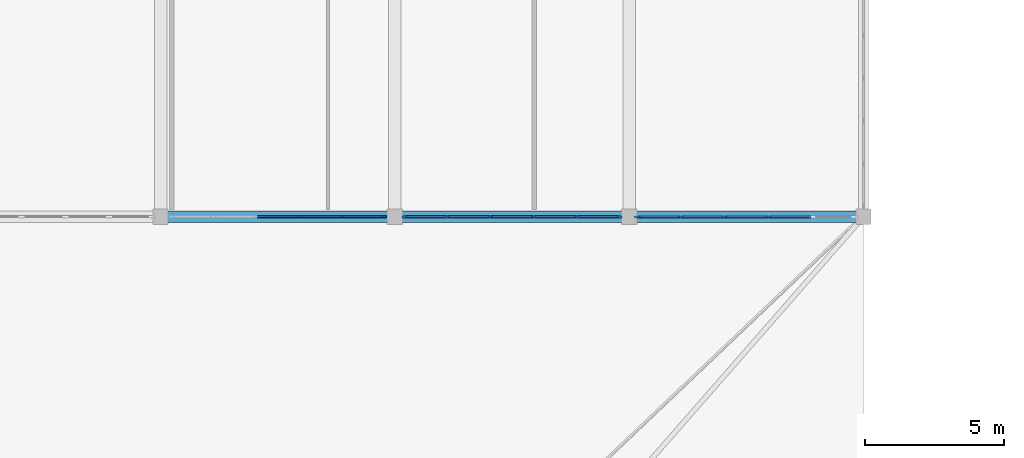
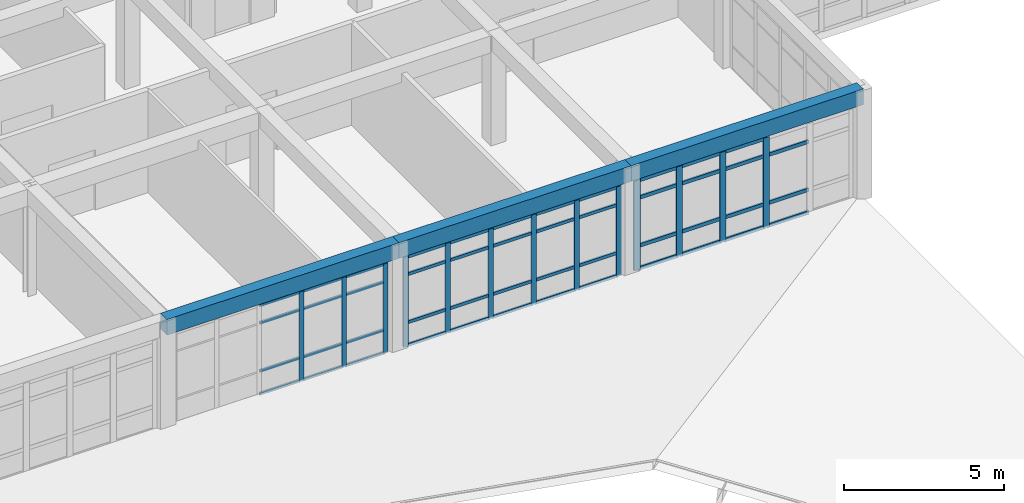
# One storey, part 17 of 77: 60 members, 3 beams, 3 elements without a shape of their own.
"""IFC4 building model written with IfcOpenShell, lengths in metres."""

from ifc_helpers import new_model, si_unit, direction, frame, origin, origin_2d, place, context, subcontext, project, spatial, rectangle, extrude, material, material_profile, profile_set, type_object, element, aggregate, save


model = new_model("IFC4")

# Units and contexts
model_context = context("Model", 3, precision=1e-05, world=origin(), true_north=direction((0.0, 1.0)))
body_context = subcontext(model_context, "Body", "Model", "MODEL_VIEW")
ifc_project = project(units=[si_unit("LENGTHUNIT", "METRE"), si_unit("AREAUNIT", "SQUARE_METRE"), si_unit("VOLUMEUNIT", "CUBIC_METRE"), si_unit("PLANEANGLEUNIT", "RADIAN"), si_unit("MASSUNIT", "GRAM", prefix="KILO")], contexts=[model_context])

# Site, building, storey
site_placement = place(None, origin())
site = spatial("IfcSite", under=ifc_project, at=site_placement, CompositionType="ELEMENT")
building_placement = place(site_placement, origin())
building = spatial("IfcBuilding", under=site, at=building_placement, Name="Varncliffe General Hospital", CompositionType="ELEMENT")
storey_placement = place(building_placement, frame((0.0, 0.0, 16.199951171875)))
storey = spatial("IfcBuildingStorey", under=building, at=storey_placement, Name="L03", CompositionType="ELEMENT", Elevation=16.199951171875)

# Curtain wall, members
ifc_material_1 = material(Name="Triple low-E argon insulated vision glazing", Category="glass")
curtain_wall_type_1 = type_object("IfcCurtainWallType", Name="Unitised Glazed Curtain Wall CW23 (7774x3440)", PredefinedType="USERDEFINED", material=ifc_material_1)
curtain_wall_1_placement = place(storey_placement, origin())
curtain_wall_1 = element("IfcCurtainWall", 1, at=curtain_wall_1_placement, inside=storey, type_object=curtain_wall_type_1, Name="L03 Glazed Curtain Wall CW23-175", ObjectType="GLAZED CURTAIN WALL", PredefinedType="USERDEFINED")
ifc_material_2 = material(Name="Dark bronze thermally broken aluminium framing", Category="aluminium")
ifc_material_profile_1 = material_profile(ifc_material_2, rectangle(XDim=0.074951171875, YDim=0.179931640625, at=origin_2d()), Name="ALU 75x180")
ifc_profile_set_1 = profile_set([ifc_material_profile_1], Name="Dark bronze thermally broken aluminium framing")
member_type_1 = type_object("IfcMemberType", Name="Curtain Wall Mullion CM44 (ALU 75x180)", PredefinedType="MULLION", material=ifc_profile_set_1)
member_1_placement = place(storey_placement, frame((108.849609375, 74.39990234375, 0.0), z_axis=(0.0, 0.0, 1.0), x_axis=(0.0, -1.0, 0.0)))
member_1 = element("IfcMember", 2, at=member_1_placement, type_object=member_type_1, Name="CW23 mullion 1", PredefinedType="MULLION", context=body_context, shape_type="SweptSolid", body=[
    extrude(rectangle(XDim=0.074951171875, YDim=0.179931640625, at=origin_2d()), origin(), (0.0, 0.0, 1.0), 3.43994140625),
])
member_2_placement = place(storey_placement, frame((107.332275390625, 74.39990234375, 0.0), z_axis=(0.0, 0.0, 1.0), x_axis=(0.0, -1.0, 0.0)))
member_2 = element("IfcMember", 3, at=member_2_placement, type_object=member_type_1, Name="CW23 mullion 2", PredefinedType="MULLION", context=body_context, shape_type="SweptSolid", body=[
    extrude(rectangle(XDim=0.074951171875, YDim=0.179931640625, at=origin_2d()), origin(), (0.0, 0.0, 1.0), 3.43994140625),
])
member_3_placement = place(storey_placement, frame((105.77734375, 74.39990234375, 0.0), z_axis=(0.0, 0.0, 1.0), x_axis=(0.0, -1.0, 0.0)))
member_3 = element("IfcMember", 4, at=member_3_placement, type_object=member_type_1, Name="CW23 mullion 3", PredefinedType="MULLION", context=body_context, shape_type="SweptSolid", body=[
    extrude(rectangle(XDim=0.074951171875, YDim=0.179931640625, at=origin_2d()), origin(), (0.0, 0.0, 1.0), 3.43994140625),
])
member_4_placement = place(storey_placement, frame((104.22265625, 74.39990234375, 0.0), z_axis=(0.0, 0.0, 1.0), x_axis=(0.0, -1.0, 0.0)))
member_4 = element("IfcMember", 5, at=member_4_placement, type_object=member_type_1, Name="CW23 mullion 4", PredefinedType="MULLION", context=body_context, shape_type="SweptSolid", body=[
    extrude(rectangle(XDim=0.074951171875, YDim=0.179931640625, at=origin_2d()), origin(), (0.0, 0.0, 1.0), 3.43994140625),
])
member_5_placement = place(storey_placement, frame((102.667724609375, 74.39990234375, 0.0), z_axis=(0.0, 0.0, 1.0), x_axis=(0.0, -1.0, 0.0)))
member_5 = element("IfcMember", 6, at=member_5_placement, type_object=member_type_1, Name="CW23 mullion 5", PredefinedType="MULLION", context=body_context, shape_type="SweptSolid", body=[
    extrude(rectangle(XDim=0.074951171875, YDim=0.179931640625, at=origin_2d()), origin(), (0.0, 0.0, 1.0), 3.43994140625),
])
member_6_placement = place(storey_placement, frame((101.150390625, 74.39990234375, 0.0), z_axis=(0.0, 0.0, 1.0), x_axis=(0.0, -1.0, 0.0)))
member_6 = element("IfcMember", 7, at=member_6_placement, type_object=member_type_1, Name="CW23 mullion 6", PredefinedType="MULLION", context=body_context, shape_type="SweptSolid", body=[
    extrude(rectangle(XDim=0.074951171875, YDim=0.179931640625, at=origin_2d()), origin(), (0.0, 0.0, 1.0), 3.43994140625),
])

curtain_wall_type_2 = type_object("IfcCurtainWallType", Name="Unitised Glazed Curtain Wall CW37 (7694x3440)", PredefinedType="USERDEFINED", material=ifc_material_1)
curtain_wall_2_placement = place(storey_placement, origin())
curtain_wall_2 = element("IfcCurtainWall", 8, at=curtain_wall_2_placement, inside=storey, type_object=curtain_wall_type_2, Name="L03 Glazed Curtain Wall CW37-176", ObjectType="GLAZED CURTAIN WALL", PredefinedType="USERDEFINED")
ifc_material_profile_2 = material_profile(ifc_material_2, rectangle(XDim=0.06494140625, YDim=0.159912109375, at=origin_2d()), Name="ALU 65x160")
ifc_profile_set_2 = profile_set([ifc_material_profile_2], Name="Dark bronze thermally broken aluminium framing")
member_type_2 = type_object("IfcMemberType", Name="Curtain Wall Mullion CM65 (ALU 65x160)", PredefinedType="MULLION", material=ifc_profile_set_2)
member_7_placement = place(storey_placement, frame((100.41455078125, 74.39990234375, 0.0), z_axis=(0.0, 0.0, 1.0), x_axis=(0.0, -1.0, 0.0)))
member_7 = element("IfcMember", 9, at=member_7_placement, type_object=member_type_2, Name="CW37 mullion 1", PredefinedType="MULLION", context=body_context, shape_type="SweptSolid", body=[
    extrude(rectangle(XDim=0.06494140625, YDim=0.159912109375, at=origin_2d()), origin(), (0.0, 0.0, 1.0), 3.43994140625),
])
member_8_placement = place(storey_placement, frame((98.908203125, 74.39990234375, 0.0), z_axis=(0.0, 0.0, 1.0), x_axis=(0.0, -1.0, 0.0)))
member_8 = element("IfcMember", 10, at=member_8_placement, type_object=member_type_2, Name="CW37 mullion 2", PredefinedType="MULLION", context=body_context, shape_type="SweptSolid", body=[
    extrude(rectangle(XDim=0.06494140625, YDim=0.159912109375, at=origin_2d()), origin(), (0.0, 0.0, 1.0), 3.43994140625),
])
member_9_placement = place(storey_placement, frame((97.369384765625, 74.39990234375, 0.0), z_axis=(0.0, 0.0, 1.0), x_axis=(0.0, -1.0, 0.0)))
member_9 = element("IfcMember", 11, at=member_9_placement, type_object=member_type_2, Name="CW37 mullion 3", PredefinedType="MULLION", context=body_context, shape_type="SweptSolid", body=[
    extrude(rectangle(XDim=0.06494140625, YDim=0.159912109375, at=origin_2d()), origin(), (0.0, 0.0, 1.0), 3.43994140625),
])

curtain_wall_type_3 = type_object("IfcCurtainWallType", Name="Unitised Glazed Curtain Wall CW83 (7854x3440)", PredefinedType="USERDEFINED", material=ifc_material_1)
curtain_wall_3_placement = place(storey_placement, origin())
curtain_wall_3 = element("IfcCurtainWall", 12, at=curtain_wall_3_placement, inside=storey, type_object=curtain_wall_type_3, Name="L03 Glazed Curtain Wall CW83-174", ObjectType="GLAZED CURTAIN WALL", PredefinedType="USERDEFINED")
ifc_material_profile_3 = material_profile(ifc_material_2, rectangle(XDim=0.074951171875, YDim=0.219970703125, at=origin_2d()), Name="ALU 75x220")
ifc_profile_set_3 = profile_set([ifc_material_profile_3], Name="Dark bronze thermally broken aluminium framing")
member_type_3 = type_object("IfcMemberType", Name="Curtain Wall Mullion CM74 (ALU 75x220)", PredefinedType="MULLION", material=ifc_profile_set_3)
member_10_placement = place(storey_placement, frame((114.185302734375, 74.39990234375, 0.0), z_axis=(0.0, 0.0, 1.0), x_axis=(0.0, -1.0, 0.0)))
member_10 = element("IfcMember", 13, at=member_10_placement, type_object=member_type_3, Name="CW83 mullion 3", PredefinedType="MULLION", context=body_context, shape_type="SweptSolid", body=[
    extrude(rectangle(XDim=0.074951171875, YDim=0.219970703125, at=origin_2d()), origin(), (0.0, 0.0, 1.0), 3.43994140625),
])
member_11_placement = place(storey_placement, frame((112.614501953125, 74.39990234375, 0.0), z_axis=(0.0, 0.0, 1.0), x_axis=(0.0, -1.0, 0.0)))
member_11 = element("IfcMember", 14, at=member_11_placement, type_object=member_type_3, Name="CW83 mullion 4", PredefinedType="MULLION", context=body_context, shape_type="SweptSolid", body=[
    extrude(rectangle(XDim=0.074951171875, YDim=0.219970703125, at=origin_2d()), origin(), (0.0, 0.0, 1.0), 3.43994140625),
])
member_12_placement = place(storey_placement, frame((111.043701171875, 74.39990234375, 0.0), z_axis=(0.0, 0.0, 1.0), x_axis=(0.0, -1.0, 0.0)))
member_12 = element("IfcMember", 15, at=member_12_placement, type_object=member_type_3, Name="CW83 mullion 5", PredefinedType="MULLION", context=body_context, shape_type="SweptSolid", body=[
    extrude(rectangle(XDim=0.074951171875, YDim=0.219970703125, at=origin_2d()), origin(), (0.0, 0.0, 1.0), 3.43994140625),
])
member_13_placement = place(storey_placement, frame((109.510498046875, 74.39990234375, 0.0), z_axis=(0.0, 0.0, 1.0), x_axis=(0.0, -1.0, 0.0)))
member_13 = element("IfcMember", 16, at=member_13_placement, type_object=member_type_3, Name="CW83 mullion 6", PredefinedType="MULLION", context=body_context, shape_type="SweptSolid", body=[
    extrude(rectangle(XDim=0.074951171875, YDim=0.219970703125, at=origin_2d()), origin(), (0.0, 0.0, 1.0), 3.43994140625),
])

# Member
ifc_material_profile_4 = material_profile(ifc_material_2, rectangle(XDim=0.06005859375, YDim=0.1201171875, at=origin_2d()), Name="ALU 60x120")
ifc_profile_set_4 = profile_set([ifc_material_profile_4], Name="Dark bronze thermally broken aluminium framing")
member_type_4 = type_object("IfcMemberType", Name="Curtain Wall Transom CT14 (ALU 60x120)", PredefinedType="USERDEFINED", material=ifc_profile_set_4)
member_14_placement = place(storey_placement, frame((108.81201171875, 74.39990234375, 0.030029296875), z_axis=(-1.0, 0.0, 0.0), x_axis=(0.0, -1.0, 0.0)))
member_14 = element("IfcMember", 17, at=member_14_placement, type_object=member_type_4, Name="CW23 transom 1.1", ObjectType="TRANSOM", PredefinedType="USERDEFINED", context=body_context, shape_type="SweptSolid", body=[
    extrude(rectangle(XDim=0.06005859375, YDim=0.1201171875, at=origin_2d()), origin(), (0.0, 0.0, 1.0), 1.4423828125),
])

member_15_placement = place(storey_placement, frame((108.81201171875, 74.39990234375, 0.900146484375), z_axis=(-1.0, 0.0, 0.0), x_axis=(0.0, -1.0, 0.0)))
member_15 = element("IfcMember", 18, at=member_15_placement, type_object=member_type_4, Name="CW23 transom 1.2", ObjectType="TRANSOM", PredefinedType="USERDEFINED", context=body_context, shape_type="SweptSolid", body=[
    extrude(rectangle(XDim=0.06005859375, YDim=0.1201171875, at=origin_2d()), origin(), (0.0, 0.0, 1.0), 1.4423828125),
])

member_16_placement = place(storey_placement, frame((108.81201171875, 74.39990234375, 2.739990234375), z_axis=(-1.0, 0.0, 0.0), x_axis=(0.0, -1.0, 0.0)))
member_16 = element("IfcMember", 19, at=member_16_placement, type_object=member_type_4, Name="CW23 transom 1.3", ObjectType="TRANSOM", PredefinedType="USERDEFINED", context=body_context, shape_type="SweptSolid", body=[
    extrude(rectangle(XDim=0.06005859375, YDim=0.1201171875, at=origin_2d()), origin(), (0.0, 0.0, 1.0), 1.4423828125),
])

member_17_placement = place(storey_placement, frame((108.81201171875, 74.39990234375, 3.41015625), z_axis=(-1.0, 0.0, 0.0), x_axis=(0.0, -1.0, 0.0)))
member_17 = element("IfcMember", 20, at=member_17_placement, type_object=member_type_4, Name="CW23 transom 1.4", ObjectType="TRANSOM", PredefinedType="USERDEFINED", context=body_context, shape_type="SweptSolid", body=[
    extrude(rectangle(XDim=0.06005859375, YDim=0.1201171875, at=origin_2d()), origin(), (0.0, 0.0, 1.0), 1.4423828125),
])

member_18_placement = place(storey_placement, frame((107.294677734375, 74.39990234375, 0.030029296875), z_axis=(-1.0, 0.0, 0.0), x_axis=(0.0, -1.0, 0.0)))
member_18 = element("IfcMember", 21, at=member_18_placement, type_object=member_type_4, Name="CW23 transom 2.1", ObjectType="TRANSOM", PredefinedType="USERDEFINED", context=body_context, shape_type="SweptSolid", body=[
    extrude(rectangle(XDim=0.06005859375, YDim=0.1201171875, at=origin_2d()), origin(), (0.0, 0.0, 1.0), 1.479736328125),
])

member_19_placement = place(storey_placement, frame((107.294677734375, 74.39990234375, 0.900146484375), z_axis=(-1.0, 0.0, 0.0), x_axis=(0.0, -1.0, 0.0)))
member_19 = element("IfcMember", 22, at=member_19_placement, type_object=member_type_4, Name="CW23 transom 2.2", ObjectType="TRANSOM", PredefinedType="USERDEFINED", context=body_context, shape_type="SweptSolid", body=[
    extrude(rectangle(XDim=0.06005859375, YDim=0.1201171875, at=origin_2d()), origin(), (0.0, 0.0, 1.0), 1.479736328125),
])

member_20_placement = place(storey_placement, frame((107.294677734375, 74.39990234375, 2.739990234375), z_axis=(-1.0, 0.0, 0.0), x_axis=(0.0, -1.0, 0.0)))
member_20 = element("IfcMember", 23, at=member_20_placement, type_object=member_type_4, Name="CW23 transom 2.3", ObjectType="TRANSOM", PredefinedType="USERDEFINED", context=body_context, shape_type="SweptSolid", body=[
    extrude(rectangle(XDim=0.06005859375, YDim=0.1201171875, at=origin_2d()), origin(), (0.0, 0.0, 1.0), 1.479736328125),
])

member_21_placement = place(storey_placement, frame((107.294677734375, 74.39990234375, 3.41015625), z_axis=(-1.0, 0.0, 0.0), x_axis=(0.0, -1.0, 0.0)))
member_21 = element("IfcMember", 24, at=member_21_placement, type_object=member_type_4, Name="CW23 transom 2.4", ObjectType="TRANSOM", PredefinedType="USERDEFINED", context=body_context, shape_type="SweptSolid", body=[
    extrude(rectangle(XDim=0.06005859375, YDim=0.1201171875, at=origin_2d()), origin(), (0.0, 0.0, 1.0), 1.479736328125),
])

member_22_placement = place(storey_placement, frame((105.739990234375, 74.39990234375, 0.030029296875), z_axis=(-1.0, 0.0, 0.0), x_axis=(0.0, -1.0, 0.0)))
member_22 = element("IfcMember", 25, at=member_22_placement, type_object=member_type_4, Name="CW23 transom 3.1", ObjectType="TRANSOM", PredefinedType="USERDEFINED", context=body_context, shape_type="SweptSolid", body=[
    extrude(rectangle(XDim=0.06005859375, YDim=0.1201171875, at=origin_2d()), origin(), (0.0, 0.0, 1.0), 1.47998046875),
])

member_23_placement = place(storey_placement, frame((105.739990234375, 74.39990234375, 0.900146484375), z_axis=(-1.0, 0.0, 0.0), x_axis=(0.0, -1.0, 0.0)))
member_23 = element("IfcMember", 26, at=member_23_placement, type_object=member_type_4, Name="CW23 transom 3.2", ObjectType="TRANSOM", PredefinedType="USERDEFINED", context=body_context, shape_type="SweptSolid", body=[
    extrude(rectangle(XDim=0.06005859375, YDim=0.1201171875, at=origin_2d()), origin(), (0.0, 0.0, 1.0), 1.47998046875),
])

member_24_placement = place(storey_placement, frame((105.739990234375, 74.39990234375, 2.739990234375), z_axis=(-1.0, 0.0, 0.0), x_axis=(0.0, -1.0, 0.0)))
member_24 = element("IfcMember", 27, at=member_24_placement, type_object=member_type_4, Name="CW23 transom 3.3", ObjectType="TRANSOM", PredefinedType="USERDEFINED", context=body_context, shape_type="SweptSolid", body=[
    extrude(rectangle(XDim=0.06005859375, YDim=0.1201171875, at=origin_2d()), origin(), (0.0, 0.0, 1.0), 1.47998046875),
])

member_25_placement = place(storey_placement, frame((105.739990234375, 74.39990234375, 3.41015625), z_axis=(-1.0, 0.0, 0.0), x_axis=(0.0, -1.0, 0.0)))
member_25 = element("IfcMember", 28, at=member_25_placement, type_object=member_type_4, Name="CW23 transom 3.4", ObjectType="TRANSOM", PredefinedType="USERDEFINED", context=body_context, shape_type="SweptSolid", body=[
    extrude(rectangle(XDim=0.06005859375, YDim=0.1201171875, at=origin_2d()), origin(), (0.0, 0.0, 1.0), 1.47998046875),
])

member_26_placement = place(storey_placement, frame((104.18505859375, 74.39990234375, 0.030029296875), z_axis=(-1.0, 0.0, 0.0), x_axis=(0.0, -1.0, 0.0)))
member_26 = element("IfcMember", 29, at=member_26_placement, type_object=member_type_4, Name="CW23 transom 4.1", ObjectType="TRANSOM", PredefinedType="USERDEFINED", context=body_context, shape_type="SweptSolid", body=[
    extrude(rectangle(XDim=0.06005859375, YDim=0.1201171875, at=origin_2d()), origin(), (0.0, 0.0, 1.0), 1.479736328125),
])

member_27_placement = place(storey_placement, frame((104.18505859375, 74.39990234375, 0.900146484375), z_axis=(-1.0, 0.0, 0.0), x_axis=(0.0, -1.0, 0.0)))
member_27 = element("IfcMember", 30, at=member_27_placement, type_object=member_type_4, Name="CW23 transom 4.2", ObjectType="TRANSOM", PredefinedType="USERDEFINED", context=body_context, shape_type="SweptSolid", body=[
    extrude(rectangle(XDim=0.06005859375, YDim=0.1201171875, at=origin_2d()), origin(), (0.0, 0.0, 1.0), 1.479736328125),
])

member_28_placement = place(storey_placement, frame((104.18505859375, 74.39990234375, 2.739990234375), z_axis=(-1.0, 0.0, 0.0), x_axis=(0.0, -1.0, 0.0)))
member_28 = element("IfcMember", 31, at=member_28_placement, type_object=member_type_4, Name="CW23 transom 4.3", ObjectType="TRANSOM", PredefinedType="USERDEFINED", context=body_context, shape_type="SweptSolid", body=[
    extrude(rectangle(XDim=0.06005859375, YDim=0.1201171875, at=origin_2d()), origin(), (0.0, 0.0, 1.0), 1.479736328125),
])

member_29_placement = place(storey_placement, frame((104.18505859375, 74.39990234375, 3.41015625), z_axis=(-1.0, 0.0, 0.0), x_axis=(0.0, -1.0, 0.0)))
member_29 = element("IfcMember", 32, at=member_29_placement, type_object=member_type_4, Name="CW23 transom 4.4", ObjectType="TRANSOM", PredefinedType="USERDEFINED", context=body_context, shape_type="SweptSolid", body=[
    extrude(rectangle(XDim=0.06005859375, YDim=0.1201171875, at=origin_2d()), origin(), (0.0, 0.0, 1.0), 1.479736328125),
])

member_30_placement = place(storey_placement, frame((102.63037109375, 74.39990234375, 0.030029296875), z_axis=(-1.0, 0.0, 0.0), x_axis=(0.0, -1.0, 0.0)))
member_30 = element("IfcMember", 33, at=member_30_placement, type_object=member_type_4, Name="CW23 transom 5.1", ObjectType="TRANSOM", PredefinedType="USERDEFINED", context=body_context, shape_type="SweptSolid", body=[
    extrude(rectangle(XDim=0.06005859375, YDim=0.1201171875, at=origin_2d()), origin(), (0.0, 0.0, 1.0), 1.4423828125),
])

member_31_placement = place(storey_placement, frame((102.63037109375, 74.39990234375, 0.900146484375), z_axis=(-1.0, 0.0, 0.0), x_axis=(0.0, -1.0, 0.0)))
member_31 = element("IfcMember", 34, at=member_31_placement, type_object=member_type_4, Name="CW23 transom 5.2", ObjectType="TRANSOM", PredefinedType="USERDEFINED", context=body_context, shape_type="SweptSolid", body=[
    extrude(rectangle(XDim=0.06005859375, YDim=0.1201171875, at=origin_2d()), origin(), (0.0, 0.0, 1.0), 1.4423828125),
])

member_32_placement = place(storey_placement, frame((102.63037109375, 74.39990234375, 2.739990234375), z_axis=(-1.0, 0.0, 0.0), x_axis=(0.0, -1.0, 0.0)))
member_32 = element("IfcMember", 35, at=member_32_placement, type_object=member_type_4, Name="CW23 transom 5.3", ObjectType="TRANSOM", PredefinedType="USERDEFINED", context=body_context, shape_type="SweptSolid", body=[
    extrude(rectangle(XDim=0.06005859375, YDim=0.1201171875, at=origin_2d()), origin(), (0.0, 0.0, 1.0), 1.4423828125),
])

member_33_placement = place(storey_placement, frame((102.63037109375, 74.39990234375, 3.41015625), z_axis=(-1.0, 0.0, 0.0), x_axis=(0.0, -1.0, 0.0)))
member_33 = element("IfcMember", 36, at=member_33_placement, type_object=member_type_4, Name="CW23 transom 5.4", ObjectType="TRANSOM", PredefinedType="USERDEFINED", context=body_context, shape_type="SweptSolid", body=[
    extrude(rectangle(XDim=0.06005859375, YDim=0.1201171875, at=origin_2d()), origin(), (0.0, 0.0, 1.0), 1.4423828125),
])

aggregate(curtain_wall_1, [member_1, member_2, member_3, member_4, member_5, member_6, member_14, member_15, member_16, member_17, member_18, member_19, member_20, member_21, member_22, member_23, member_24, member_25, member_26, member_27, member_28, member_29, member_30, member_31, member_32, member_33])

ifc_material_profile_5 = material_profile(ifc_material_2, rectangle(XDim=0.06005859375, YDim=0.10009765625, at=origin_2d()), Name="ALU 60x100")
ifc_profile_set_5 = profile_set([ifc_material_profile_5], Name="Dark bronze thermally broken aluminium framing")
member_type_5 = type_object("IfcMemberType", Name="Curtain Wall Transom CT18 (ALU 60x100)", PredefinedType="USERDEFINED", material=ifc_profile_set_5)
member_34_placement = place(storey_placement, frame((100.382080078125, 74.39990234375, 0.030029296875), z_axis=(-1.0, 0.0, 0.0), x_axis=(0.0, -1.0, 0.0)))
member_34 = element("IfcMember", 37, at=member_34_placement, type_object=member_type_5, Name="CW37 transom 1.1", ObjectType="TRANSOM", PredefinedType="USERDEFINED", context=body_context, shape_type="SweptSolid", body=[
    extrude(rectangle(XDim=0.06005859375, YDim=0.10009765625, at=origin_2d()), origin(), (0.0, 0.0, 1.0), 1.44140625),
])

member_35_placement = place(storey_placement, frame((100.382080078125, 74.39990234375, 0.900146484375), z_axis=(-1.0, 0.0, 0.0), x_axis=(0.0, -1.0, 0.0)))
member_35 = element("IfcMember", 38, at=member_35_placement, type_object=member_type_5, Name="CW37 transom 1.2", ObjectType="TRANSOM", PredefinedType="USERDEFINED", context=body_context, shape_type="SweptSolid", body=[
    extrude(rectangle(XDim=0.06005859375, YDim=0.10009765625, at=origin_2d()), origin(), (0.0, 0.0, 1.0), 1.44140625),
])

member_36_placement = place(storey_placement, frame((100.382080078125, 74.39990234375, 2.739990234375), z_axis=(-1.0, 0.0, 0.0), x_axis=(0.0, -1.0, 0.0)))
member_36 = element("IfcMember", 39, at=member_36_placement, type_object=member_type_5, Name="CW37 transom 1.3", ObjectType="TRANSOM", PredefinedType="USERDEFINED", context=body_context, shape_type="SweptSolid", body=[
    extrude(rectangle(XDim=0.06005859375, YDim=0.10009765625, at=origin_2d()), origin(), (0.0, 0.0, 1.0), 1.44140625),
])

member_37_placement = place(storey_placement, frame((100.382080078125, 74.39990234375, 3.41015625), z_axis=(-1.0, 0.0, 0.0), x_axis=(0.0, -1.0, 0.0)))
member_37 = element("IfcMember", 40, at=member_37_placement, type_object=member_type_5, Name="CW37 transom 1.4", ObjectType="TRANSOM", PredefinedType="USERDEFINED", context=body_context, shape_type="SweptSolid", body=[
    extrude(rectangle(XDim=0.06005859375, YDim=0.10009765625, at=origin_2d()), origin(), (0.0, 0.0, 1.0), 1.44140625),
])

member_38_placement = place(storey_placement, frame((98.875732421875, 74.39990234375, 0.030029296875), z_axis=(-1.0, 0.0, 0.0), x_axis=(0.0, -1.0, 0.0)))
member_38 = element("IfcMember", 41, at=member_38_placement, type_object=member_type_5, Name="CW37 transom 2.1", ObjectType="TRANSOM", PredefinedType="USERDEFINED", context=body_context, shape_type="SweptSolid", body=[
    extrude(rectangle(XDim=0.06005859375, YDim=0.10009765625, at=origin_2d()), origin(), (0.0, 0.0, 1.0), 1.473876953125),
])

member_39_placement = place(storey_placement, frame((98.875732421875, 74.39990234375, 0.900146484375), z_axis=(-1.0, 0.0, 0.0), x_axis=(0.0, -1.0, 0.0)))
member_39 = element("IfcMember", 42, at=member_39_placement, type_object=member_type_5, Name="CW37 transom 2.2", ObjectType="TRANSOM", PredefinedType="USERDEFINED", context=body_context, shape_type="SweptSolid", body=[
    extrude(rectangle(XDim=0.06005859375, YDim=0.10009765625, at=origin_2d()), origin(), (0.0, 0.0, 1.0), 1.473876953125),
])

member_40_placement = place(storey_placement, frame((98.875732421875, 74.39990234375, 2.739990234375), z_axis=(-1.0, 0.0, 0.0), x_axis=(0.0, -1.0, 0.0)))
member_40 = element("IfcMember", 43, at=member_40_placement, type_object=member_type_5, Name="CW37 transom 2.3", ObjectType="TRANSOM", PredefinedType="USERDEFINED", context=body_context, shape_type="SweptSolid", body=[
    extrude(rectangle(XDim=0.06005859375, YDim=0.10009765625, at=origin_2d()), origin(), (0.0, 0.0, 1.0), 1.473876953125),
])

member_41_placement = place(storey_placement, frame((98.875732421875, 74.39990234375, 3.41015625), z_axis=(-1.0, 0.0, 0.0), x_axis=(0.0, -1.0, 0.0)))
member_41 = element("IfcMember", 44, at=member_41_placement, type_object=member_type_5, Name="CW37 transom 2.4", ObjectType="TRANSOM", PredefinedType="USERDEFINED", context=body_context, shape_type="SweptSolid", body=[
    extrude(rectangle(XDim=0.06005859375, YDim=0.10009765625, at=origin_2d()), origin(), (0.0, 0.0, 1.0), 1.473876953125),
])

member_42_placement = place(storey_placement, frame((97.3369140625, 74.39990234375, 0.030029296875), z_axis=(-1.0, 0.0, 0.0), x_axis=(0.0, -1.0, 0.0)))
member_42 = element("IfcMember", 45, at=member_42_placement, type_object=member_type_5, Name="CW37 transom 3.1", ObjectType="TRANSOM", PredefinedType="USERDEFINED", context=body_context, shape_type="SweptSolid", body=[
    extrude(rectangle(XDim=0.06005859375, YDim=0.10009765625, at=origin_2d()), origin(), (0.0, 0.0, 1.0), 1.473876953125),
])

member_43_placement = place(storey_placement, frame((97.3369140625, 74.39990234375, 0.900146484375), z_axis=(-1.0, 0.0, 0.0), x_axis=(0.0, -1.0, 0.0)))
member_43 = element("IfcMember", 46, at=member_43_placement, type_object=member_type_5, Name="CW37 transom 3.2", ObjectType="TRANSOM", PredefinedType="USERDEFINED", context=body_context, shape_type="SweptSolid", body=[
    extrude(rectangle(XDim=0.06005859375, YDim=0.10009765625, at=origin_2d()), origin(), (0.0, 0.0, 1.0), 1.473876953125),
])

member_44_placement = place(storey_placement, frame((97.3369140625, 74.39990234375, 2.739990234375), z_axis=(-1.0, 0.0, 0.0), x_axis=(0.0, -1.0, 0.0)))
member_44 = element("IfcMember", 47, at=member_44_placement, type_object=member_type_5, Name="CW37 transom 3.3", ObjectType="TRANSOM", PredefinedType="USERDEFINED", context=body_context, shape_type="SweptSolid", body=[
    extrude(rectangle(XDim=0.06005859375, YDim=0.10009765625, at=origin_2d()), origin(), (0.0, 0.0, 1.0), 1.473876953125),
])

member_45_placement = place(storey_placement, frame((97.3369140625, 74.39990234375, 3.41015625), z_axis=(-1.0, 0.0, 0.0), x_axis=(0.0, -1.0, 0.0)))
member_45 = element("IfcMember", 48, at=member_45_placement, type_object=member_type_5, Name="CW37 transom 3.4", ObjectType="TRANSOM", PredefinedType="USERDEFINED", context=body_context, shape_type="SweptSolid", body=[
    extrude(rectangle(XDim=0.06005859375, YDim=0.10009765625, at=origin_2d()), origin(), (0.0, 0.0, 1.0), 1.473876953125),
])

aggregate(curtain_wall_2, [member_7, member_8, member_9, member_34, member_35, member_36, member_37, member_38, member_39, member_40, member_41, member_42, member_43, member_44, member_45])

ifc_material_profile_6 = material_profile(ifc_material_2, rectangle(XDim=0.06494140625, YDim=0.139892578125, at=origin_2d()), Name="ALU 65x140")
ifc_profile_set_6 = profile_set([ifc_material_profile_6], Name="Dark bronze thermally broken aluminium framing")
member_type_6 = type_object("IfcMemberType", Name="Curtain Wall Transom CT69 (ALU 65x140)", PredefinedType="USERDEFINED", material=ifc_profile_set_6)
member_46_placement = place(storey_placement, frame((115.71875, 74.39990234375, 0.032470703125), z_axis=(-1.0, 0.0, 0.0), x_axis=(0.0, -1.0, 0.0)))
member_46 = element("IfcMember", 49, at=member_46_placement, type_object=member_type_6, Name="CW83 transom 2.1", ObjectType="TRANSOM", PredefinedType="USERDEFINED", context=body_context, shape_type="SweptSolid", body=[
    extrude(rectangle(XDim=0.06494140625, YDim=0.139892578125, at=origin_2d()), origin(), (0.0, 0.0, 1.0), 1.495849609375),
])

member_47_placement = place(storey_placement, frame((115.71875, 74.39990234375, 0.900146484375), z_axis=(-1.0, 0.0, 0.0), x_axis=(0.0, -1.0, 0.0)))
member_47 = element("IfcMember", 50, at=member_47_placement, type_object=member_type_6, Name="CW83 transom 2.2", ObjectType="TRANSOM", PredefinedType="USERDEFINED", context=body_context, shape_type="SweptSolid", body=[
    extrude(rectangle(XDim=0.06494140625, YDim=0.139892578125, at=origin_2d()), origin(), (0.0, 0.0, 1.0), 1.495849609375),
])

member_48_placement = place(storey_placement, frame((115.71875, 74.39990234375, 2.739990234375), z_axis=(-1.0, 0.0, 0.0), x_axis=(0.0, -1.0, 0.0)))
member_48 = element("IfcMember", 51, at=member_48_placement, type_object=member_type_6, Name="CW83 transom 2.3", ObjectType="TRANSOM", PredefinedType="USERDEFINED", context=body_context, shape_type="SweptSolid", body=[
    extrude(rectangle(XDim=0.06494140625, YDim=0.139892578125, at=origin_2d()), origin(), (0.0, 0.0, 1.0), 1.495849609375),
])

member_49_placement = place(storey_placement, frame((114.14794921875, 74.39990234375, 0.032470703125), z_axis=(-1.0, 0.0, 0.0), x_axis=(0.0, -1.0, 0.0)))
member_49 = element("IfcMember", 52, at=member_49_placement, type_object=member_type_6, Name="CW83 transom 3.1", ObjectType="TRANSOM", PredefinedType="USERDEFINED", context=body_context, shape_type="SweptSolid", body=[
    extrude(rectangle(XDim=0.06494140625, YDim=0.139892578125, at=origin_2d()), origin(), (0.0, 0.0, 1.0), 1.495849609375),
])

member_50_placement = place(storey_placement, frame((114.14794921875, 74.39990234375, 0.900146484375), z_axis=(-1.0, 0.0, 0.0), x_axis=(0.0, -1.0, 0.0)))
member_50 = element("IfcMember", 53, at=member_50_placement, type_object=member_type_6, Name="CW83 transom 3.2", ObjectType="TRANSOM", PredefinedType="USERDEFINED", context=body_context, shape_type="SweptSolid", body=[
    extrude(rectangle(XDim=0.06494140625, YDim=0.139892578125, at=origin_2d()), origin(), (0.0, 0.0, 1.0), 1.495849609375),
])

member_51_placement = place(storey_placement, frame((114.14794921875, 74.39990234375, 2.739990234375), z_axis=(-1.0, 0.0, 0.0), x_axis=(0.0, -1.0, 0.0)))
member_51 = element("IfcMember", 54, at=member_51_placement, type_object=member_type_6, Name="CW83 transom 3.3", ObjectType="TRANSOM", PredefinedType="USERDEFINED", context=body_context, shape_type="SweptSolid", body=[
    extrude(rectangle(XDim=0.06494140625, YDim=0.139892578125, at=origin_2d()), origin(), (0.0, 0.0, 1.0), 1.495849609375),
])

member_52_placement = place(storey_placement, frame((114.14794921875, 74.39990234375, 3.407470703125), z_axis=(-1.0, 0.0, 0.0), x_axis=(0.0, -1.0, 0.0)))
member_52 = element("IfcMember", 55, at=member_52_placement, type_object=member_type_6, Name="CW83 transom 3.4", ObjectType="TRANSOM", PredefinedType="USERDEFINED", context=body_context, shape_type="SweptSolid", body=[
    extrude(rectangle(XDim=0.06494140625, YDim=0.139892578125, at=origin_2d()), origin(), (0.0, 0.0, 1.0), 1.495849609375),
])

member_53_placement = place(storey_placement, frame((112.5771484375, 74.39990234375, 0.032470703125), z_axis=(-1.0, 0.0, 0.0), x_axis=(0.0, -1.0, 0.0)))
member_53 = element("IfcMember", 56, at=member_53_placement, type_object=member_type_6, Name="CW83 transom 4.1", ObjectType="TRANSOM", PredefinedType="USERDEFINED", context=body_context, shape_type="SweptSolid", body=[
    extrude(rectangle(XDim=0.06494140625, YDim=0.139892578125, at=origin_2d()), origin(), (0.0, 0.0, 1.0), 1.495849609375),
])

member_54_placement = place(storey_placement, frame((112.5771484375, 74.39990234375, 0.900146484375), z_axis=(-1.0, 0.0, 0.0), x_axis=(0.0, -1.0, 0.0)))
member_54 = element("IfcMember", 57, at=member_54_placement, type_object=member_type_6, Name="CW83 transom 4.2", ObjectType="TRANSOM", PredefinedType="USERDEFINED", context=body_context, shape_type="SweptSolid", body=[
    extrude(rectangle(XDim=0.06494140625, YDim=0.139892578125, at=origin_2d()), origin(), (0.0, 0.0, 1.0), 1.495849609375),
])

member_55_placement = place(storey_placement, frame((112.5771484375, 74.39990234375, 2.739990234375), z_axis=(-1.0, 0.0, 0.0), x_axis=(0.0, -1.0, 0.0)))
member_55 = element("IfcMember", 58, at=member_55_placement, type_object=member_type_6, Name="CW83 transom 4.3", ObjectType="TRANSOM", PredefinedType="USERDEFINED", context=body_context, shape_type="SweptSolid", body=[
    extrude(rectangle(XDim=0.06494140625, YDim=0.139892578125, at=origin_2d()), origin(), (0.0, 0.0, 1.0), 1.495849609375),
])

member_56_placement = place(storey_placement, frame((112.5771484375, 74.39990234375, 3.407470703125), z_axis=(-1.0, 0.0, 0.0), x_axis=(0.0, -1.0, 0.0)))
member_56 = element("IfcMember", 59, at=member_56_placement, type_object=member_type_6, Name="CW83 transom 4.4", ObjectType="TRANSOM", PredefinedType="USERDEFINED", context=body_context, shape_type="SweptSolid", body=[
    extrude(rectangle(XDim=0.06494140625, YDim=0.139892578125, at=origin_2d()), origin(), (0.0, 0.0, 1.0), 1.495849609375),
])

member_57_placement = place(storey_placement, frame((111.00634765625, 74.39990234375, 0.032470703125), z_axis=(-1.0, 0.0, 0.0), x_axis=(0.0, -1.0, 0.0)))
member_57 = element("IfcMember", 60, at=member_57_placement, type_object=member_type_6, Name="CW83 transom 5.1", ObjectType="TRANSOM", PredefinedType="USERDEFINED", context=body_context, shape_type="SweptSolid", body=[
    extrude(rectangle(XDim=0.06494140625, YDim=0.139892578125, at=origin_2d()), origin(), (0.0, 0.0, 1.0), 1.458251953125),
])

member_58_placement = place(storey_placement, frame((111.00634765625, 74.39990234375, 0.900146484375), z_axis=(-1.0, 0.0, 0.0), x_axis=(0.0, -1.0, 0.0)))
member_58 = element("IfcMember", 61, at=member_58_placement, type_object=member_type_6, Name="CW83 transom 5.2", ObjectType="TRANSOM", PredefinedType="USERDEFINED", context=body_context, shape_type="SweptSolid", body=[
    extrude(rectangle(XDim=0.06494140625, YDim=0.139892578125, at=origin_2d()), origin(), (0.0, 0.0, 1.0), 1.458251953125),
])

member_59_placement = place(storey_placement, frame((111.00634765625, 74.39990234375, 2.739990234375), z_axis=(-1.0, 0.0, 0.0), x_axis=(0.0, -1.0, 0.0)))
member_59 = element("IfcMember", 62, at=member_59_placement, type_object=member_type_6, Name="CW83 transom 5.3", ObjectType="TRANSOM", PredefinedType="USERDEFINED", context=body_context, shape_type="SweptSolid", body=[
    extrude(rectangle(XDim=0.06494140625, YDim=0.139892578125, at=origin_2d()), origin(), (0.0, 0.0, 1.0), 1.458251953125),
])

member_60_placement = place(storey_placement, frame((111.00634765625, 74.39990234375, 3.407470703125), z_axis=(-1.0, 0.0, 0.0), x_axis=(0.0, -1.0, 0.0)))
member_60 = element("IfcMember", 63, at=member_60_placement, type_object=member_type_6, Name="CW83 transom 5.4", ObjectType="TRANSOM", PredefinedType="USERDEFINED", context=body_context, shape_type="SweptSolid", body=[
    extrude(rectangle(XDim=0.06494140625, YDim=0.139892578125, at=origin_2d()), origin(), (0.0, 0.0, 1.0), 1.458251953125),
])

aggregate(curtain_wall_3, [member_10, member_11, member_12, member_13, member_46, member_47, member_48, member_49, member_50, member_51, member_52, member_53, member_54, member_55, member_56, member_57, member_58, member_59, member_60])

# Beams
ifc_material_3 = material(Name="Concrete C35/45 (CSA A23.1 35 MPa)", Category="concrete")
ifc_material_profile_7 = material_profile(ifc_material_3, rectangle(XDim=0.39990234375, YDim=0.60009765625, at=origin_2d()), Name="RC 400x600")
ifc_profile_set_7 = profile_set([ifc_material_profile_7], Name="Concrete C35/45 (CSA A23.1 35 MPa)")
beam_type = type_object("IfcBeamType", Name="Spandrel SP58 (Ext RC 400x600B)", PredefinedType="SPANDREL", material=ifc_profile_set_7)
beam_1_placement = place(storey_placement, frame((92.39990234375, 74.39990234375, 3.900146484375), z_axis=(1.0, 0.0, 0.0), x_axis=(0.0, 1.0, 0.0)))
element("IfcBeam", 64, at=beam_1_placement, inside=storey, type_object=beam_type, Name="L03 Spandrel Beam SP58-59", PredefinedType="SPANDREL", context=body_context, shape_type="SweptSolid", body=[
    extrude(rectangle(XDim=0.39990234375, YDim=0.60009765625, at=origin_2d()), origin(), (0.0, 0.0, 1.0), 8.400146484375),
])
beam_2_placement = place(storey_placement, frame((100.800048828125, 74.39990234375, 3.900146484375), z_axis=(1.0, 0.0, 0.0), x_axis=(0.0, 1.0, 0.0)))
element("IfcBeam", 65, at=beam_2_placement, inside=storey, type_object=beam_type, Name="L03 Spandrel Beam SP58-60", PredefinedType="SPANDREL", context=body_context, shape_type="SweptSolid", body=[
    extrude(rectangle(XDim=0.39990234375, YDim=0.60009765625, at=origin_2d()), origin(), (0.0, 0.0, 1.0), 8.39990234375),
])
beam_3_placement = place(storey_placement, frame((109.199951171875, 74.39990234375, 3.900146484375), z_axis=(1.0, 0.0, 0.0), x_axis=(0.0, 1.0, 0.0)))
element("IfcBeam", 66, at=beam_3_placement, inside=storey, type_object=beam_type, Name="L03 Spandrel Beam SP58-61", PredefinedType="SPANDREL", context=body_context, shape_type="SweptSolid", body=[
    extrude(rectangle(XDim=0.39990234375, YDim=0.60009765625, at=origin_2d()), origin(), (0.0, 0.0, 1.0), 8.400146484375),
])

save(model, "model.ifc")
